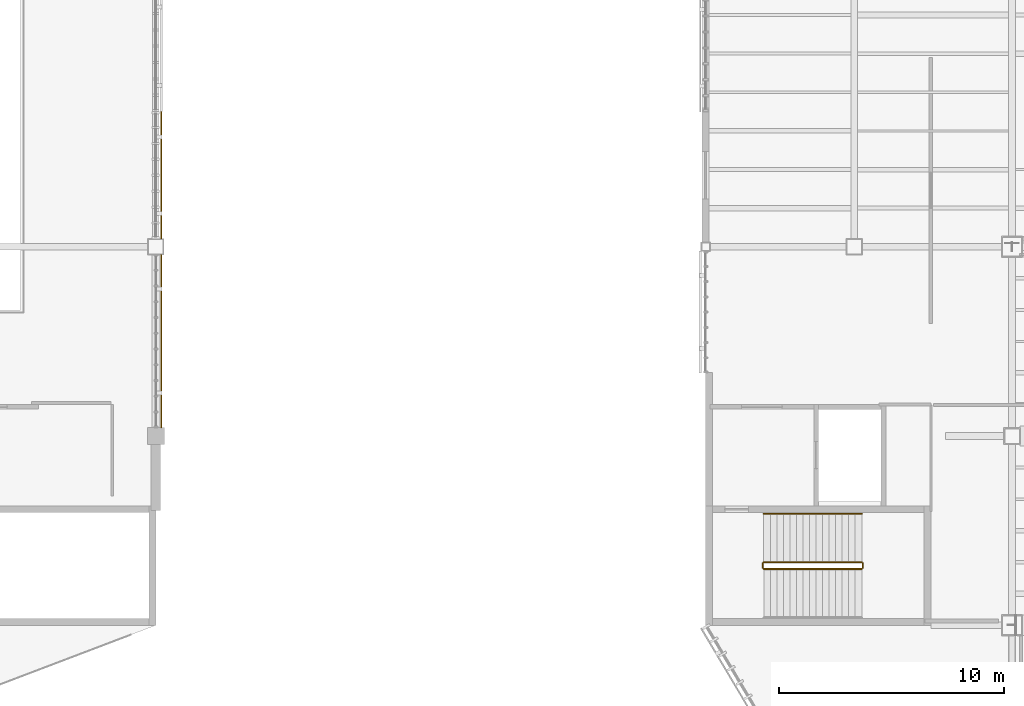
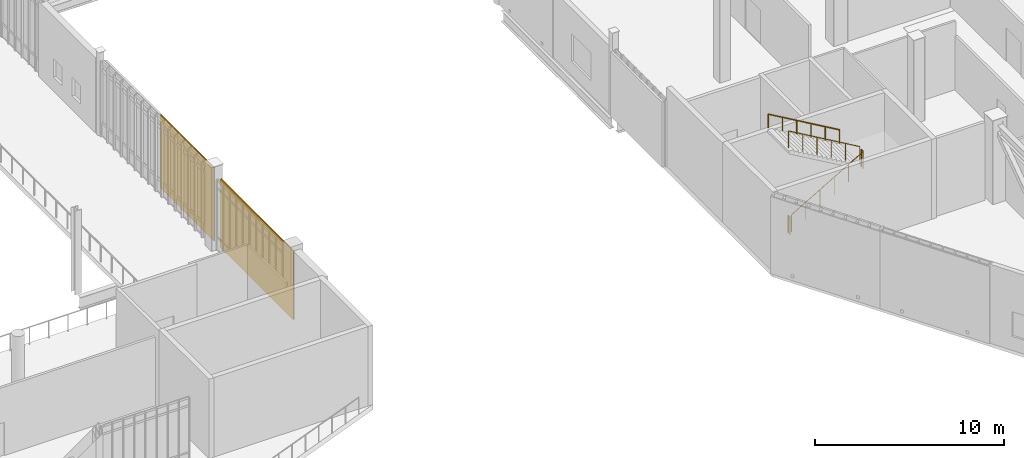
# One storey, part 131 of 135: 5 railings, 2 shading devices.
"""IFC4 building model written with IfcOpenShell, lengths in metres."""

from ifc_helpers import new_model, si_unit, direction, frame, origin, origin_2d, place, context, subcontext, project, spatial, rectangle, circle, extrude, material, layer, layer_set, type_object, element, save


model = new_model("IFC4")

# Units and contexts
model_context = context("Model", 3, precision=1e-05, world=origin(), true_north=direction((0.0, 1.0)))
body_context = subcontext(model_context, "Body", "Model", "MODEL_VIEW")
ifc_project = project(units=[si_unit("LENGTHUNIT", "METRE"), si_unit("AREAUNIT", "SQUARE_METRE"), si_unit("VOLUMEUNIT", "CUBIC_METRE"), si_unit("PLANEANGLEUNIT", "RADIAN"), si_unit("MASSUNIT", "GRAM", prefix="KILO")], contexts=[model_context])

# Site, building, storey
site_placement = place(None, origin())
site = spatial("IfcSite", under=ifc_project, at=site_placement, CompositionType="ELEMENT")
building_placement = place(site_placement, origin())
building = spatial("IfcBuilding", under=site, at=building_placement, Name="Larkvane Passage Sports Hall", CompositionType="ELEMENT")
storey_placement = place(building_placement, frame((0.0, 0.0, 16.800048828125)))
storey = spatial("IfcBuildingStorey", under=building, at=storey_placement, Name="L03", CompositionType="ELEMENT", Elevation=16.800048828125)

# Railings
ifc_material_1 = material(Name="Steel S355JR", Category="steel")
railing_type_1 = type_object("IfcRailingType", Name="RL-GUARD-1120", PredefinedType="GUARDRAIL", material=ifc_material_1)
railing_1_placement = place(storey_placement, frame((120.580078125, 25.300048828125, 0.168701171875)))
element("IfcRailing", 1, at=railing_1_placement, inside=storey, type_object=railing_type_1, Name="L03 ST-05 stair guard 1", PredefinedType="GUARDRAIL", context=body_context, shape_type="SweptSolid", body=[
    extrude(circle(Radius=0.02392578125, at=origin_2d()), frame((0.001708984375, 0.0, 1.09716796875), z_axis=(0.864311530196, 0.0, 0.502956835891), x_axis=(0.0, 1.0, 0.0)), (0.0, 0.0, 1.0), 5.02880859375),
    extrude(circle(Radius=0.02099609375, at=origin_2d()), origin(), (0.0, 0.0, 1.0), 1.072021484375),
    extrude(circle(Radius=0.02099609375, at=origin_2d()), frame((0.869873046875, 0.0, 0.50634765625)), (0.0, 0.0, 1.0), 1.072021484375),
    extrude(circle(Radius=0.02099609375, at=origin_2d()), frame((1.739990234375, 0.0, 1.012451171875)), (0.0, 0.0, 1.0), 1.072021484375),
    extrude(circle(Radius=0.02099609375, at=origin_2d()), frame((2.60986328125, 0.0, 1.518798828125)), (0.0, 0.0, 1.0), 1.072021484375),
    extrude(circle(Radius=0.02099609375, at=origin_2d()), frame((3.47998046875, 0.0, 2.02490234375)), (0.0, 0.0, 1.0), 1.072021484375),
    extrude(circle(Radius=0.02099609375, at=origin_2d()), frame((4.349853515625, 0.0, 2.53125)), (0.0, 0.0, 1.0), 1.072021484375),
])
railing_2_placement = place(storey_placement, frame((124.97998046875, 25.35009765625, 2.699951171875)))
element("IfcRailing", 2, at=railing_2_placement, inside=storey, type_object=railing_type_1, Name="L03 ST-05 stair guard 2", PredefinedType="GUARDRAIL", context=body_context, shape_type="SweptSolid", body=[
    extrude(circle(Radius=0.02392578125, at=origin_2d()), frame((0.0, 0.001953125, 1.09619140625), z_axis=(0.0, 1.0, 0.0), x_axis=(-1.0, 0.0, 0.0)), (0.0, 0.0, 1.0), 0.196044921875),
    extrude(circle(Radius=0.02099609375, at=origin_2d()), origin(), (0.0, 0.0, 1.0), 1.072021484375),
    extrude(circle(Radius=0.02099609375, at=origin_2d()), frame((0.0, 0.199951171875, 0.0)), (0.0, 0.0, 1.0), 1.072021484375),
])
railing_3_placement = place(storey_placement, frame((124.929931640625, 25.60009765625, 2.86865234375)))
element("IfcRailing", 3, at=railing_3_placement, inside=storey, type_object=railing_type_1, Name="L03 ST-05 stair guard 3", PredefinedType="GUARDRAIL", context=body_context, shape_type="SweptSolid", body=[
    extrude(circle(Radius=0.02392578125, at=origin_2d()), frame((-0.001708984375, 0.0, 1.09716796875), z_axis=(-0.864311530196, 0.0, 0.502956835891), x_axis=(0.0, -1.0, 0.0)), (0.0, 0.0, 1.0), 5.02880859375),
    extrude(circle(Radius=0.02099609375, at=origin_2d()), origin(), (0.0, 0.0, 1.0), 1.072021484375),
    extrude(circle(Radius=0.02099609375, at=origin_2d()), frame((-0.869873046875, 0.0, 0.50634765625)), (0.0, 0.0, 1.0), 1.072021484375),
    extrude(circle(Radius=0.02099609375, at=origin_2d()), frame((-1.739990234375, 0.0, 1.012451171875)), (0.0, 0.0, 1.0), 1.072021484375),
    extrude(circle(Radius=0.02099609375, at=origin_2d()), frame((-2.60986328125, 0.0, 1.518798828125)), (0.0, 0.0, 1.0), 1.072021484375),
    extrude(circle(Radius=0.02099609375, at=origin_2d()), frame((-3.47998046875, 0.0, 2.02490234375)), (0.0, 0.0, 1.0), 1.072021484375),
    extrude(circle(Radius=0.02099609375, at=origin_2d()), frame((-4.349853515625, 0.0, 2.53125)), (0.0, 0.0, 1.0), 1.072021484375),
])
railing_4_placement = place(storey_placement, frame((120.530029296875, 25.35009765625, 0.0)))
element("IfcRailing", 4, at=railing_4_placement, inside=storey, type_object=railing_type_1, Name="L03 ST-05 stair guard 4", PredefinedType="GUARDRAIL", context=body_context, shape_type="SweptSolid", body=[
    extrude(circle(Radius=0.02392578125, at=origin_2d()), frame((0.0, 0.001953125, 1.09619140625), z_axis=(0.0, 1.0, 0.0), x_axis=(-1.0, 0.0, 0.0)), (0.0, 0.0, 1.0), 0.196044921875),
    extrude(circle(Radius=0.02099609375, at=origin_2d()), origin(), (0.0, 0.0, 1.0), 1.072021484375),
    extrude(circle(Radius=0.02099609375, at=origin_2d()), frame((0.0, 0.199951171875, 0.0)), (0.0, 0.0, 1.0), 1.072021484375),
])
ifc_material_2 = material(Name="Stainless steel S355JR", Category="steel")
railing_type_2 = type_object("IfcRailingType", Name="RL-HAND-920", PredefinedType="HANDRAIL", material=ifc_material_2)
railing_5_placement = place(storey_placement, frame((124.929931640625, 27.75, 2.86865234375)))
element("IfcRailing", 5, at=railing_5_placement, inside=storey, type_object=railing_type_2, Name="L03 ST-05 stair handrail 2", PredefinedType="HANDRAIL", context=body_context, shape_type="SweptSolid", body=[
    extrude(circle(Radius=0.02392578125, at=origin_2d()), frame((-0.001708984375, 0.0, 0.876953125), z_axis=(-0.864311530196, 0.0, 0.502956835891), x_axis=(0.0, -1.0, 0.0)), (0.0, 0.0, 1.0), 5.02880859375),
    extrude(circle(Radius=0.02099609375, at=origin_2d()), origin(), (0.0, 0.0, 1.0), 0.851806640625),
    extrude(circle(Radius=0.02099609375, at=origin_2d()), frame((-0.869873046875, 0.0, 0.50634765625)), (0.0, 0.0, 1.0), 0.851806640625),
    extrude(circle(Radius=0.02099609375, at=origin_2d()), frame((-1.739990234375, 0.0, 1.012451171875)), (0.0, 0.0, 1.0), 0.851806640625),
    extrude(circle(Radius=0.02099609375, at=origin_2d()), frame((-2.60986328125, 0.0, 1.518798828125)), (0.0, 0.0, 1.0), 0.851806640625),
    extrude(circle(Radius=0.02099609375, at=origin_2d()), frame((-3.47998046875, 0.0, 2.02490234375)), (0.0, 0.0, 1.0), 0.851806640625),
    extrude(circle(Radius=0.02099609375, at=origin_2d()), frame((-4.349853515625, 0.0, 2.53125)), (0.0, 0.0, 1.0), 0.851806640625),
])

# Shading devices
ifc_material_3 = material(Name="Perforated anodised aluminium 5052-H32", Category="aluminium")
ifc_layer = layer(ifc_material_3, 0.06005859375)
ifc_layer_set = layer_set([ifc_layer], Name="Perforated anodised aluminium 5052-H32")
shading_device_type = type_object("IfcShadingDeviceType", Name="SHD-VEIL-PERF", PredefinedType="SHUTTER", material=ifc_layer_set)
shading_device_1_placement = place(storey_placement, frame((93.840087890625, 42.77294921875, 0.06005859375), z_axis=(0.0, 0.0, 1.0), x_axis=(0.0, -1.0, 0.0)))
element("IfcShadingDevice", 6, at=shading_device_1_placement, inside=storey, type_object=shading_device_type, Name="Solar veil screen L03-106", PredefinedType="SHUTTER", context=body_context, shape_type="SweptSolid", body=[
    extrude(rectangle(XDim=5.654052734375, YDim=0.06005859375, at=origin_2d()), origin(), (0.0, 0.0, 1.0), 4.722900390625),
])
shading_device_2_placement = place(storey_placement, frame((93.840087890625, 35.41259765625, 0.06005859375), z_axis=(0.0, 0.0, 1.0), x_axis=(0.0, -1.0, 0.0)))
element("IfcShadingDevice", 7, at=shading_device_2_placement, inside=storey, type_object=shading_device_type, Name="Solar veil screen L03-107", PredefinedType="SHUTTER", context=body_context, shape_type="SweptSolid", body=[
    extrude(rectangle(XDim=7.68310546875, YDim=0.06005859375, at=origin_2d()), origin(), (0.0, 0.0, 1.0), 4.43798828125),
])

save(model, "model.ifc")
